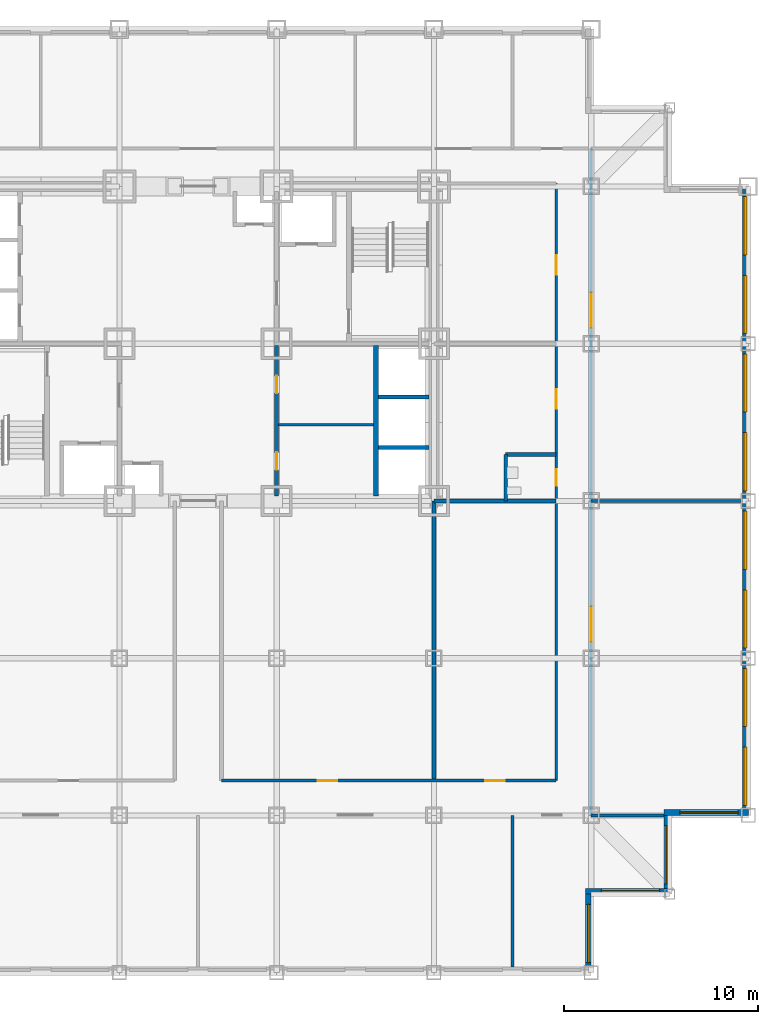
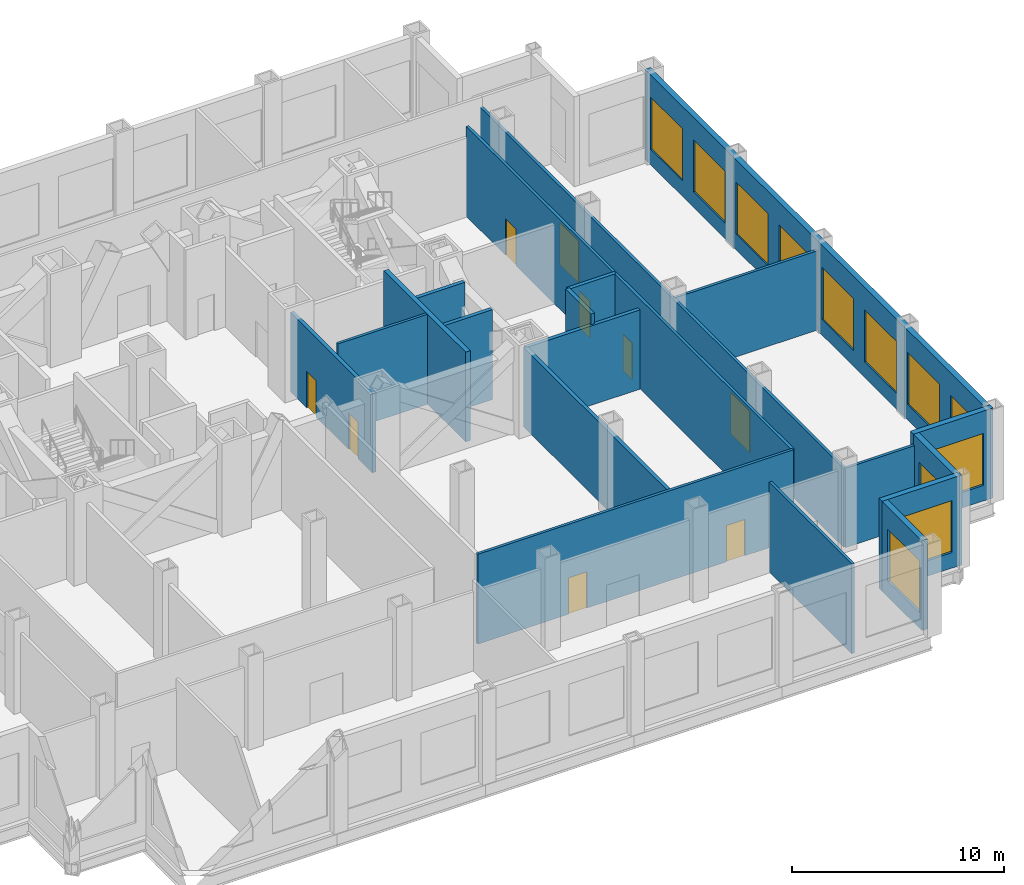
# One storey, part 5 of 10: 20 walls, 12 windows, 9 doors, 21 openings.
"""IFC4 building model written with IfcOpenShell, lengths in metres."""

import ifcopenshell
import ifcopenshell.guid

model = None  # the IFC model being written
_history = None  # IfcOwnerHistory: only IFC2X3 demands one
_inside = {}  # id of a spatial element -> (the spatial element, [elements in it])
_under = {}  # id of a project, library or spatial element -> (it, [spatial elements below it])
_declared = {}  # id of a project -> (the project, [libraries it declares])
_typed = {}  # id of a type object -> (the type object, [elements of that type])
_made_of = {}  # id of a material, layer set ... -> (it, [elements and type objects made of it])


def new_model(schema):
    """Start an empty IFC model of exactly this schema.

    Asked for "IFC4X3", IfcOpenShell would pick the latest addendum, in which some entities
    have other attributes; the version numbers below select the first issue.
    IFC2X3 requires an IfcOwnerHistory on every rooted entity: one is made here for all.
    """
    global model, _history
    if schema == "IFC4X3":
        model = ifcopenshell.file(schema_version=(4, 3, 0, 0))
    else:
        model = ifcopenshell.file(schema=schema)
    _inside.clear()
    _under.clear()
    _declared.clear()
    _typed.clear()
    _made_of.clear()
    _history = None
    if model.schema == "IFC2X3":
        org = make("IfcOrganization", Name="unknown")
        user = make(
            "IfcPersonAndOrganization",
            ThePerson=make("IfcPerson", FamilyName="unknown"),
            TheOrganization=org,
        )
        app = make(
            "IfcApplication",
            ApplicationDeveloper=org,
            Version="unknown",
            ApplicationFullName="unknown",
            ApplicationIdentifier="unknown",
        )
        _history = make(
            "IfcOwnerHistory",
            OwningUser=user,
            OwningApplication=app,
            ChangeAction="ADDED",
            CreationDate=0,
        )
    return model


def make(cls, **values):
    """One entity of the class cls with the attributes given. An attribute that is None is left unset."""
    return model.create_entity(
        cls, **{name: value for name, value in values.items() if value is not None}
    )


def rooted(cls, **values):
    """An entity with a GlobalId (a new one), such as an element, a storey or a relation."""
    return make(cls, GlobalId=ifcopenshell.guid.new(), OwnerHistory=_history, **values)


def si_unit(unit_type, name, prefix=None):
    """IfcSIUnit, for example si_unit("LENGTHUNIT", "METRE", prefix="MILLI")."""
    return make("IfcSIUnit", UnitType=unit_type, Prefix=prefix, Name=name)


def assignment(units):
    """IfcUnitAssignment: the units of a project."""
    return None if units is None else make("IfcUnitAssignment", Units=units)


def point(xyz):
    """IfcCartesianPoint."""
    return None if xyz is None else make("IfcCartesianPoint", Coordinates=xyz)


def direction(xyz):
    """IfcDirection."""
    return None if xyz is None else make("IfcDirection", DirectionRatios=xyz)


def frame(location, z_axis=None, x_axis=None):
    """IfcAxis2Placement3D, a coordinate frame: its origin and axes. An axis left out is left unset."""
    return make(
        "IfcAxis2Placement3D",
        Location=point(location),
        Axis=direction(z_axis),
        RefDirection=direction(x_axis),
    )


def frame_2d(location, x_axis=None):
    """IfcAxis2Placement2D, a coordinate frame in the plane: its origin and x axis."""
    return make(
        "IfcAxis2Placement2D", Location=point(location), RefDirection=direction(x_axis)
    )


def origin():
    """The frame at (0, 0, 0) with its axes left unset."""
    return frame((0.0, 0.0, 0.0))


def place(relative_to, where):
    """IfcLocalPlacement: puts the frame where relative to a parent placement (None: the world)."""
    return make(
        "IfcLocalPlacement", PlacementRelTo=relative_to, RelativePlacement=where
    )


def context(
    kind, dimensions, precision=None, world=None, true_north=None, identifier=None
):
    """IfcGeometricRepresentationContext, for example the 3D "Model" context."""
    return make(
        "IfcGeometricRepresentationContext",
        ContextIdentifier=identifier,
        ContextType=kind,
        CoordinateSpaceDimension=dimensions,
        Precision=precision,
        WorldCoordinateSystem=world,
        TrueNorth=true_north,
    )


def subcontext(parent, identifier, kind, view, scale=None):
    """IfcGeometricRepresentationSubContext, for example "Body" below "Model"."""
    return make(
        "IfcGeometricRepresentationSubContext",
        ContextIdentifier=identifier,
        ContextType=kind,
        ParentContext=parent,
        TargetScale=scale,
        TargetView=view,
    )


def project(units=None, contexts=None):
    """IfcProject with its units and contexts."""
    return rooted(
        "IfcProject",
        Name="project",
        RepresentationContexts=contexts,
        UnitsInContext=assignment(units),
    )


def spatial(cls, under=None, at=None, **own):
    """A site, building, storey or space (cls), placed at a placement, below another one or the project."""
    s = rooted(cls, ObjectPlacement=at, **own)
    if under is not None:
        _under.setdefault(under.id(), (under, []))[1].append(s)
    return s


def profile(cls, at=None, kind="AREA", **sizes):
    """A parametric profile (cls). Its sizes go by their IFC names, for example OverallWidth=200.0."""
    return make(cls, ProfileType=kind, Position=at, **sizes)


def rectangle(**sizes):
    """IfcRectangleProfileDef."""
    return profile("IfcRectangleProfileDef", **sizes)


def extrude(swept, where, along, depth):
    """IfcExtrudedAreaSolid: the profile swept, set in the frame where, extruded along a direction by depth."""
    return make(
        "IfcExtrudedAreaSolid",
        SweptArea=swept,
        Position=where,
        ExtrudedDirection=direction(along),
        Depth=depth,
    )


def shape(context_of_items, identifier, shape_type, items):
    """IfcShapeRepresentation: the items that make up one representation, for example the "Body"."""
    return make(
        "IfcShapeRepresentation",
        ContextOfItems=context_of_items,
        RepresentationIdentifier=identifier,
        RepresentationType=shape_type,
        Items=items,
    )


def material(Name=None, Category=None):
    """IfcMaterial."""
    return make("IfcMaterial", Name=Name, Category=Category)


def layer(
    of_material, thickness, ventilated=None, Name=None, Category=None, Priority=None
):
    """IfcMaterialLayer: one layer of a wall or slab, of a material (None: an air gap)."""
    return make(
        "IfcMaterialLayer",
        Material=of_material,
        LayerThickness=thickness,
        IsVentilated=ventilated,
        Name=Name,
        Category=Category,
        Priority=Priority,
    )


def layer_set(layers, Name=None):
    """IfcMaterialLayerSet."""
    return make("IfcMaterialLayerSet", MaterialLayers=layers, LayerSetName=Name)


def made_of(thing, what):
    """Note that an element or type object is made of a material, layer set ...; save() writes the relation."""
    if what is not None:
        _made_of.setdefault(what.id(), (what, []))[1].append(thing)
    return thing


def type_object(cls, material=None, **own):
    """A type object (cls), such as IfcWallType, which elements share."""
    return made_of(rooted(cls, **own), material)


def element(
    cls,
    number,
    at=None,
    inside=None,
    cuts=None,
    type_object=None,
    material=None,
    context=None,
    identifier="Body",
    shape_type=None,
    held_by="IfcProductDefinitionShape",
    body=None,
    shapes=None,
    **own,
):
    """One element of the class cls, such as IfcWall. Its Tag is "e" and its number.

    at: its placement. inside: the storey or other place that contains it. cuts: it is an
    opening in that element (IfcRelVoidsElement). A single representation is given by context,
    identifier, shape_type and body (its items); several are given by shapes. held_by: the class
    of the entity that holds the representations. save() writes the other relations.
    """
    e = rooted(cls, Tag="e%d" % number, ObjectPlacement=at, **own)
    if body is not None:
        shapes = [shape(context, identifier, shape_type, body)]
    if shapes is not None:
        e.Representation = make(held_by, Representations=shapes)
    if inside is not None:
        _inside.setdefault(inside.id(), (inside, []))[1].append(e)
    if cuts is not None:
        rooted(
            "IfcRelVoidsElement", RelatingBuildingElement=cuts, RelatedOpeningElement=e
        )
    if type_object is not None:
        _typed.setdefault(type_object.id(), (type_object, []))[1].append(e)
    return made_of(e, material)


def fill(opening, filler):
    """IfcRelFillsElement: the door or window that sits in an opening."""
    return rooted(
        "IfcRelFillsElement",
        RelatingOpeningElement=opening,
        RelatedBuildingElement=filler,
    )


def aggregate(whole, parts):
    """IfcRelAggregates: a whole, such as a stair, and the parts it consists of."""
    return rooted("IfcRelAggregates", RelatingObject=whole, RelatedObjects=parts)


def save(model, path):
    """Write the relations noted so far, then the file.

    IfcRelAggregates (storeys below a building ...), IfcRelContainedInSpatialStructure (elements
    in a storey), IfcRelDefinesByType, IfcRelAssociatesMaterial and IfcRelDeclares: one each for
    every whole, place, type object, material and project.
    """
    for whole, parts in _under.values():
        aggregate(whole, parts)
    for where, things in _inside.values():
        rooted(
            "IfcRelContainedInSpatialStructure",
            RelatedElements=things,
            RelatingStructure=where,
        )
    for kind, things in _typed.values():
        rooted("IfcRelDefinesByType", RelatedObjects=things, RelatingType=kind)
    for what, things in _made_of.values():
        rooted("IfcRelAssociatesMaterial", RelatedObjects=things, RelatingMaterial=what)
    for by, libraries in _declared.values():
        rooted("IfcRelDeclares", RelatingContext=by, RelatedDefinitions=libraries)
    model.write(path)


model = new_model("IFC4")

# Units and contexts
model_context = context("Model", 3, precision=1e-05, world=origin(), true_north=direction((0.0, 1.0)))
body_context = subcontext(model_context, "Body", "Model", "MODEL_VIEW")
ifc_project = project(units=[si_unit("LENGTHUNIT", "METRE"), si_unit("AREAUNIT", "SQUARE_METRE"), si_unit("VOLUMEUNIT", "CUBIC_METRE"), si_unit("PLANEANGLEUNIT", "RADIAN"), si_unit("MASSUNIT", "GRAM", prefix="KILO")], contexts=[model_context])

# Site, building, storey
site_placement = place(None, origin())
site = spatial("IfcSite", under=ifc_project, at=site_placement, CompositionType="ELEMENT")
building_placement = place(site_placement, origin())
building = spatial("IfcBuilding", under=site, at=building_placement, Name="Kopane Lantern Tower", CompositionType="ELEMENT")
storey_placement = place(building_placement, frame((0.0, 0.0, 27.60009765625)))
storey = spatial("IfcBuildingStorey", under=building, at=storey_placement, Name="L05", CompositionType="ELEMENT", Elevation=27.60009765625)

# Wall
ifc_material_1 = material(Name="Gypsum partition EI 60", Category="gypsum")
ifc_layer_1 = layer(ifc_material_1, 0.14990234375)
ifc_layer_set_1 = layer_set([ifc_layer_1], Name="CORE ROOM PARTITION 150 EI 60")
wall_type_1 = type_object("IfcWallType", Name="CORE ROOM PARTITION 150 EI 60", PredefinedType="PARTITIONING", material=ifc_layer_set_1)
wall_1_placement = place(storey_placement, frame((32.5, 28.22509765625, 0.0), z_axis=(0.0, 0.0, 1.0), x_axis=(1.0, 0.0, 0.0)))
element("IfcWall", 1, at=wall_1_placement, inside=storey, type_object=wall_type_1, Name="Core room partition L05 E1", PredefinedType="PARTITIONING", context=body_context, shape_type="SweptSolid", body=[
    extrude(rectangle(XDim=4.89990234375, YDim=0.14990234375, at=frame_2d((2.449951171875, 0.0))), origin(), (0.0, 0.0, 1.0), 5.18994140625),
])

# Wall, openings, doors
ifc_material_2 = material(Name="Gypsum partition EI 60", Category="gypsum")
ifc_layer_2 = layer(ifc_material_2, 0.199951171875)
ifc_layer_set_2 = layer_set([ifc_layer_2], Name="CORE ROOM WALL 200 EI 60")
wall_type_2 = type_object("IfcWallType", Name="CORE ROOM WALL 200 EI 60", PredefinedType="PARTITIONING", material=ifc_layer_set_2)
wall_2_placement = place(storey_placement, frame((32.39990234375, 24.550048828125, 0.0), z_axis=(0.0, 0.0, 1.0), x_axis=(0.0, 1.0, 0.0)))
wall_2 = element("IfcWall", 2, at=wall_2_placement, inside=storey, type_object=wall_type_2, Name="Core room wall L05 XE", PredefinedType="PARTITIONING", context=body_context, shape_type="SweptSolid", body=[
    extrude(rectangle(XDim=7.75, YDim=0.199951171875, at=frame_2d((3.875, 0.0))), origin(), (0.0, 0.0, 1.0), 4.57763671875),
])
opening_1_placement = place(wall_2_placement, frame((1.35009765625, 0.0, 0.0)))
opening_1 = element("IfcOpeningElement", 3, at=opening_1_placement, cuts=wall_2, Name="Opening 05.C20", PredefinedType="OPENING", context=body_context, shape_type="SweptSolid", body=[
    extrude(rectangle(XDim=0.89990234375, YDim=2.10009765625, at=frame_2d((0.449951171875, 1.050048828125))), frame((0.0, 0.10986328125, 0.0), z_axis=(0.0, -1.0, 0.0), x_axis=(1.0, 0.0, 0.0)), (0.0, 0.0, 1.0), 0.219970703125),
])
opening_2_placement = place(wall_2_placement, frame((5.300048828125, 0.0, 0.0)))
opening_2 = element("IfcOpeningElement", 4, at=opening_2_placement, cuts=wall_2, Name="Opening 05.C21", PredefinedType="OPENING", context=body_context, shape_type="SweptSolid", body=[
    extrude(rectangle(XDim=0.89990234375, YDim=2.10009765625, at=frame_2d((0.449951171875, 1.050048828125))), frame((0.0, 0.10986328125, 0.0), z_axis=(0.0, -1.0, 0.0), x_axis=(1.0, 0.0, 0.0)), (0.0, 0.0, 1.0), 0.219970703125),
])
ifc_material_3 = material(Name="Steel door set", Category="steel")
door_type_1 = type_object("IfcDoorType", Name="CORE ROOM DOOR 900x2100 FD60", OperationType="SINGLE_SWING_LEFT", PredefinedType="DOOR", material=ifc_material_3)
door_1_placement = place(opening_1_placement, origin())
door_1 = element("IfcDoor", 5, at=door_1_placement, inside=storey, type_object=door_type_1, Name="Door Electrical room L05", OperationType="SINGLE_SWING_LEFT", OverallHeight=2.10009765625, OverallWidth=0.89990234375, PredefinedType="DOOR", context=body_context, shape_type="SweptSolid", body=[
    extrude(rectangle(XDim=0.89990234375, YDim=2.10009765625, at=frame_2d((0.449951171875, 1.050048828125))), frame((0.0, 0.02490234375, 0.0), z_axis=(0.0, -1.0, 0.0), x_axis=(1.0, 0.0, 0.0)), (0.0, 0.0, 1.0), 0.050048828125),
])
fill(opening_1, door_1)
door_2_placement = place(opening_2_placement, origin())
door_2 = element("IfcDoor", 6, at=door_2_placement, inside=storey, type_object=door_type_1, Name="Door Plant store L05", OperationType="SINGLE_SWING_LEFT", OverallHeight=2.10009765625, OverallWidth=0.89990234375, PredefinedType="DOOR", context=body_context, shape_type="SweptSolid", body=[
    extrude(rectangle(XDim=0.89990234375, YDim=2.10009765625, at=frame_2d((0.449951171875, 1.050048828125))), frame((0.0, 0.02490234375, 0.0), z_axis=(0.0, -1.0, 0.0), x_axis=(1.0, 0.0, 0.0)), (0.0, 0.0, 1.0), 0.050048828125),
])
fill(opening_2, door_2)

# Wall
ifc_material_4 = material(Name="Gypsum shaft wall EI 120", Category="gypsum")
ifc_layer_3 = layer(ifc_material_4, 0.25)
ifc_layer_set_3 = layer_set([ifc_layer_3], Name="CORE SHAFT WALL 250 EI 120")
wall_type_3 = type_object("IfcWallType", Name="CORE SHAFT WALL 250 EI 120", PredefinedType="SOLIDWALL", material=ifc_layer_set_3)
wall_3_placement = place(storey_placement, frame((37.52490234375, 24.550048828125, 0.0), z_axis=(0.0, 0.0, 1.0), x_axis=(0.0, 1.0, 0.0)))
element("IfcWall", 7, at=wall_3_placement, inside=storey, type_object=wall_type_3, Name="Core shaft wall L05 XLR", PredefinedType="SOLIDWALL", context=body_context, shape_type="SweptSolid", body=[
    extrude(rectangle(XDim=7.75, YDim=0.25, at=frame_2d((3.875, 0.0))), origin(), (0.0, 0.0, 1.0), 5.18994140625),
])

# Wall, openings, doors
ifc_material_5 = material(Name="Gypsum board on steel studs", Category="steel")
ifc_layer_4 = layer(ifc_material_5, 0.14990234375)
ifc_layer_set_4 = layer_set([ifc_layer_4], Name="CORRIDOR WALL 150 EI 60")
wall_type_4 = type_object("IfcWallType", Name="CORRIDOR WALL 150 EI 60", PredefinedType="PARTITIONING", material=ifc_layer_set_4)
wall_4_placement = place(storey_placement, frame((48.60009765625, 8.10009765625, 0.0), z_axis=(0.0, 0.0, 1.0), x_axis=(0.0, 1.0, 0.0)))
wall_4 = element("IfcWall", 8, at=wall_4_placement, inside=storey, type_object=wall_type_4, Name="Corridor Wall 150 Ei 60 L05", PredefinedType="PARTITIONING", context=body_context, shape_type="SweptSolid", body=[
    extrude(rectangle(XDim=34.349853515625, YDim=0.14990234375, at=frame_2d((17.1748046875, 0.0))), origin(), (0.0, 0.0, 1.0), 4.57763671875),
])
opening_3_placement = place(wall_4_placement, frame((8.949951171875, 0.0, 0.0)))
opening_3 = element("IfcOpeningElement", 9, at=opening_3_placement, cuts=wall_4, Name="Opening L05-019", PredefinedType="OPENING", context=body_context, shape_type="SweptSolid", body=[
    extrude(rectangle(XDim=1.800048828125, YDim=2.39990234375, at=frame_2d((0.89990234375, 1.199951171875))), frame((0.0, 0.0849609375, 0.0), z_axis=(0.0, -1.0, 0.0), x_axis=(1.0, 0.0, 0.0)), (0.0, 0.0, 1.0), 0.169921875),
])
opening_4_placement = place(wall_4_placement, frame((25.125, 0.0, 0.0)))
opening_4 = element("IfcOpeningElement", 10, at=opening_4_placement, cuts=wall_4, Name="Opening L05-020", PredefinedType="OPENING", context=body_context, shape_type="SweptSolid", body=[
    extrude(rectangle(XDim=1.800048828125, YDim=2.39990234375, at=frame_2d((0.89990234375, 1.199951171875))), frame((0.0, 0.0849609375, 0.0), z_axis=(0.0, -1.0, 0.0), x_axis=(1.0, 0.0, 0.0)), (0.0, 0.0, 1.0), 0.169921875),
])
ifc_material_6 = material(Name="Steel door set", Category="steel")
door_type_2 = type_object("IfcDoorType", Name="DOOR D8 1800x2400 FD120", OperationType="SINGLE_SWING_LEFT", PredefinedType="DOOR", material=ifc_material_6)
door_3_placement = place(opening_3_placement, origin())
door_3 = element("IfcDoor", 11, at=door_3_placement, inside=storey, type_object=door_type_2, Name="Door L05-019", OperationType="DOUBLE_DOOR_SINGLE_SWING", OverallHeight=2.39990234375, OverallWidth=1.800048828125, PredefinedType="DOOR", context=body_context, shape_type="SweptSolid", body=[
    extrude(rectangle(XDim=1.800048828125, YDim=2.39990234375, at=frame_2d((0.89990234375, 1.199951171875))), frame((0.0, 0.02490234375, 0.0), z_axis=(0.0, -1.0, 0.0), x_axis=(1.0, 0.0, 0.0)), (0.0, 0.0, 1.0), 0.050048828125),
])
fill(opening_3, door_3)
door_4_placement = place(opening_4_placement, origin())
door_4 = element("IfcDoor", 12, at=door_4_placement, inside=storey, type_object=door_type_2, Name="Door L05-020", OperationType="DOUBLE_DOOR_SINGLE_SWING", OverallHeight=2.39990234375, OverallWidth=1.800048828125, PredefinedType="DOOR", context=body_context, shape_type="SweptSolid", body=[
    extrude(rectangle(XDim=1.800048828125, YDim=2.39990234375, at=frame_2d((0.89990234375, 1.199951171875))), frame((0.0, 0.02490234375, 0.0), z_axis=(0.0, -1.0, 0.0), x_axis=(1.0, 0.0, 0.0)), (0.0, 0.0, 1.0), 0.050048828125),
])
fill(opening_4, door_4)

wall_5_placement = place(storey_placement, frame((46.800048828125, 9.89990234375, 0.0), z_axis=(0.0, 0.0, 1.0), x_axis=(0.0, 1.0, 0.0)))
wall_5 = element("IfcWall", 13, at=wall_5_placement, inside=storey, type_object=wall_type_4, Name="Corridor Wall 150 Ei 60 L05", PredefinedType="PARTITIONING", context=body_context, shape_type="SweptSolid", body=[
    extrude(rectangle(XDim=30.75, YDim=0.14990234375, at=frame_2d((15.375, 0.0))), origin(), (0.0, 0.0, 1.0), 5.18994140625),
])
opening_5_placement = place(wall_5_placement, frame((15.175048828125, 0.0, 0.0)))
opening_5 = element("IfcOpeningElement", 14, at=opening_5_placement, cuts=wall_5, Name="Opening L05-005", PredefinedType="OPENING", context=body_context, shape_type="SweptSolid", body=[
    extrude(rectangle(XDim=0.85009765625, YDim=2.10009765625, at=frame_2d((0.425048828125, 1.050048828125))), frame((0.0, 0.0849609375, 0.0), z_axis=(0.0, -1.0, 0.0), x_axis=(1.0, 0.0, 0.0)), (0.0, 0.0, 1.0), 0.169921875),
])
opening_6_placement = place(wall_5_placement, frame((19.14990234375, 0.0, 0.0)))
opening_6 = element("IfcOpeningElement", 15, at=opening_6_placement, cuts=wall_5, Name="Opening L05-006", PredefinedType="OPENING", context=body_context, shape_type="SweptSolid", body=[
    extrude(rectangle(XDim=1.0, YDim=2.10009765625, at=frame_2d((0.5, 1.050048828125))), frame((0.0, 0.0849609375, 0.0), z_axis=(0.0, -1.0, 0.0), x_axis=(1.0, 0.0, 0.0)), (0.0, 0.0, 1.0), 0.169921875),
])
opening_7_placement = place(wall_5_placement, frame((26.050048828125, 0.0, 0.0)))
opening_7 = element("IfcOpeningElement", 16, at=opening_7_placement, cuts=wall_5, Name="Opening L05-007", PredefinedType="OPENING", context=body_context, shape_type="SweptSolid", body=[
    extrude(rectangle(XDim=1.0, YDim=2.10009765625, at=frame_2d((0.5, 1.050048828125))), frame((0.0, 0.0849609375, 0.0), z_axis=(0.0, -1.0, 0.0), x_axis=(1.0, 0.0, 0.0)), (0.0, 0.0, 1.0), 0.169921875),
])
ifc_material_7 = material(Name="Timber door set", Category="wood")
door_type_3 = type_object("IfcDoorType", Name="DOOR D4 850x2100", OperationType="SINGLE_SWING_LEFT", PredefinedType="DOOR", material=ifc_material_7)
door_5_placement = place(opening_5_placement, origin())
door_5 = element("IfcDoor", 17, at=door_5_placement, inside=storey, type_object=door_type_3, Name="Door L05-005", OperationType="SINGLE_SWING_LEFT", OverallHeight=2.10009765625, OverallWidth=0.85009765625, PredefinedType="DOOR", context=body_context, shape_type="SweptSolid", body=[
    extrude(rectangle(XDim=0.85009765625, YDim=2.10009765625, at=frame_2d((0.425048828125, 1.050048828125))), frame((0.0, 0.02490234375, 0.0), z_axis=(0.0, -1.0, 0.0), x_axis=(1.0, 0.0, 0.0)), (0.0, 0.0, 1.0), 0.050048828125),
])
fill(opening_5, door_5)
ifc_material_8 = material(Name="Steel door set", Category="steel")
door_type_4 = type_object("IfcDoorType", Name="DOOR D5 1000x2100 FD60", OperationType="SINGLE_SWING_LEFT", PredefinedType="DOOR", material=ifc_material_8)
door_6_placement = place(opening_6_placement, origin())
door_6 = element("IfcDoor", 18, at=door_6_placement, inside=storey, type_object=door_type_4, Name="Door L05-006", OperationType="SINGLE_SWING_RIGHT", OverallHeight=2.10009765625, OverallWidth=1.0, PredefinedType="DOOR", context=body_context, shape_type="SweptSolid", body=[
    extrude(rectangle(XDim=1.0, YDim=2.10009765625, at=frame_2d((0.5, 1.050048828125))), frame((0.0, 0.02490234375, 0.0), z_axis=(0.0, -1.0, 0.0), x_axis=(1.0, 0.0, 0.0)), (0.0, 0.0, 1.0), 0.050048828125),
])
fill(opening_6, door_6)
door_7_placement = place(opening_7_placement, origin())
door_7 = element("IfcDoor", 19, at=door_7_placement, inside=storey, type_object=door_type_4, Name="Door L05-007", OperationType="SINGLE_SWING_LEFT", OverallHeight=2.10009765625, OverallWidth=1.0, PredefinedType="DOOR", context=body_context, shape_type="SweptSolid", body=[
    extrude(rectangle(XDim=1.0, YDim=2.10009765625, at=frame_2d((0.5, 1.050048828125))), frame((0.0, 0.02490234375, 0.0), z_axis=(0.0, -1.0, 0.0), x_axis=(1.0, 0.0, 0.0)), (0.0, 0.0, 1.0), 0.050048828125),
])
fill(opening_7, door_7)

wall_6_placement = place(storey_placement, frame((29.56005859375, 9.89990234375, 0.0), z_axis=(0.0, 0.0, 1.0), x_axis=(1.0, 0.0, 0.0)))
wall_6 = element("IfcWall", 20, at=wall_6_placement, inside=storey, type_object=wall_type_4, Name="Corridor Wall 150 Ei 60 L05", PredefinedType="PARTITIONING", context=body_context, shape_type="SweptSolid", body=[
    extrude(rectangle(XDim=17.239990234375, YDim=0.14990234375, at=frame_2d((8.6201171875, 0.0))), origin(), (0.0, 0.0, 1.0), 5.18994140625),
])
opening_8_placement = place(wall_6_placement, frame((4.965087890625, 0.0, 0.0)))
opening_8 = element("IfcOpeningElement", 21, at=opening_8_placement, cuts=wall_6, Name="Opening L05-010", PredefinedType="OPENING", context=body_context, shape_type="SweptSolid", body=[
    extrude(rectangle(XDim=1.0, YDim=2.10009765625, at=frame_2d((0.5, 1.050048828125))), frame((0.0, 0.0849609375, 0.0), z_axis=(0.0, -1.0, 0.0), x_axis=(1.0, 0.0, 0.0)), (0.0, 0.0, 1.0), 0.169921875),
])
opening_9_placement = place(wall_6_placement, frame((13.590087890625, 0.0, 0.0)))
opening_9 = element("IfcOpeningElement", 22, at=opening_9_placement, cuts=wall_6, Name="Opening L05-011", PredefinedType="OPENING", context=body_context, shape_type="SweptSolid", body=[
    extrude(rectangle(XDim=1.0, YDim=2.10009765625, at=frame_2d((0.5, 1.050048828125))), frame((0.0, 0.0849609375, 0.0), z_axis=(0.0, -1.0, 0.0), x_axis=(1.0, 0.0, 0.0)), (0.0, 0.0, 1.0), 0.169921875),
])
door_8_placement = place(opening_8_placement, origin())
door_8 = element("IfcDoor", 23, at=door_8_placement, inside=storey, type_object=door_type_4, Name="Door L05-010", OperationType="SINGLE_SWING_LEFT", OverallHeight=2.10009765625, OverallWidth=1.0, PredefinedType="DOOR", context=body_context, shape_type="SweptSolid", body=[
    extrude(rectangle(XDim=1.0, YDim=2.10009765625, at=frame_2d((0.5, 1.050048828125))), frame((0.0, 0.02490234375, 0.0), z_axis=(0.0, -1.0, 0.0), x_axis=(1.0, 0.0, 0.0)), (0.0, 0.0, 1.0), 0.050048828125),
])
fill(opening_8, door_8)
door_9_placement = place(opening_9_placement, origin())
door_9 = element("IfcDoor", 24, at=door_9_placement, inside=storey, type_object=door_type_4, Name="Door L05-011", OperationType="SINGLE_SWING_RIGHT", OverallHeight=2.10009765625, OverallWidth=1.0, PredefinedType="DOOR", context=body_context, shape_type="SweptSolid", body=[
    extrude(rectangle(XDim=1.0, YDim=2.10009765625, at=frame_2d((0.5, 1.050048828125))), frame((0.0, 0.02490234375, 0.0), z_axis=(0.0, -1.0, 0.0), x_axis=(1.0, 0.0, 0.0)), (0.0, 0.0, 1.0), 0.050048828125),
])
fill(opening_9, door_9)

# Walls
ifc_material_9 = material(Name="Gypsum board on steel studs", Category="steel")
ifc_layer_5 = layer(ifc_material_9, 0.14990234375)
ifc_layer_set_5 = layer_set([ifc_layer_5], Name="DEMISING WALL 150 EI 60")
wall_type_5 = type_object("IfcWallType", Name="DEMISING WALL 150 EI 60", PredefinedType="PARTITIONING", material=ifc_layer_set_5)
wall_7_placement = place(storey_placement, frame((48.60009765625, 24.300048828125, 0.0), z_axis=(0.0, 0.0, 1.0), x_axis=(1.0, 0.0, 0.0)))
element("IfcWall", 25, at=wall_7_placement, inside=storey, type_object=wall_type_5, Name="Demising Wall 150 Ei 60 L05", PredefinedType="PARTITIONING", context=body_context, shape_type="SweptSolid", body=[
    extrude(rectangle(XDim=7.7998046875, YDim=0.14990234375, at=frame_2d((3.89990234375, 0.0))), origin(), (0.0, 0.0, 1.0), 4.57763671875),
])
wall_8_placement = place(storey_placement, frame((48.60009765625, 8.10009765625, 0.0), z_axis=(0.0, 0.0, 1.0), x_axis=(1.0, 0.0, 0.0)))
element("IfcWall", 26, at=wall_8_placement, inside=storey, type_object=wall_type_5, Name="Demising Wall 150 Ei 60 L05", PredefinedType="PARTITIONING", context=body_context, shape_type="SweptSolid", body=[
    extrude(rectangle(XDim=3.75, YDim=0.14990234375, at=frame_2d((1.875, 0.0))), origin(), (0.0, 0.0, 1.0), 4.57763671875),
])
wall_9_placement = place(storey_placement, frame((44.550048828125, 8.10009765625, 0.0), z_axis=(0.0, 0.0, 1.0), x_axis=(0.0, -1.0, 0.0)))
element("IfcWall", 27, at=wall_9_placement, inside=storey, type_object=wall_type_5, Name="Demising Wall 150 Ei 60 L05", PredefinedType="PARTITIONING", context=body_context, shape_type="SweptSolid", body=[
    extrude(rectangle(XDim=7.800048828125, YDim=0.14990234375, at=frame_2d((3.89990234375, 0.0))), origin(), (0.0, 0.0, 1.0), 5.18994140625),
])

# Wall, opening, window
ifc_material_10 = material(Name="Terracotta rainscreen on light steel framing", Category="masonry")
ifc_layer_6 = layer(ifc_material_10, 0.300048828125)
ifc_layer_set_6 = layer_set([ifc_layer_6], Name="EXTERNAL WALL EW1 300 TERRACOTTA")
wall_type_6 = type_object("IfcWallType", Name="EXTERNAL WALL EW1 300 TERRACOTTA", PredefinedType="SOLIDWALL", material=ifc_layer_set_6)
wall_10_placement = place(storey_placement, frame((48.449951171875, 0.300048828125, 0.0), z_axis=(0.0, 0.0, 1.0), x_axis=(0.0, 1.0, 0.0)))
wall_10 = element("IfcWall", 28, at=wall_10_placement, inside=storey, type_object=wall_type_6, Name="External wall E L05", PredefinedType="SOLIDWALL", context=body_context, shape_type="SweptSolid", body=[
    extrude(rectangle(XDim=3.75, YDim=0.300048828125, at=frame_2d((1.875, 0.0))), origin(), (0.0, 0.0, 1.0), 5.18994140625),
])
opening_10_placement = place(wall_10_placement, frame((0.22509765625, 0.0, 0.89990234375)))
opening_10 = element("IfcOpeningElement", 29, at=opening_10_placement, cuts=wall_10, Name="Opening WR300300", PredefinedType="OPENING", context=body_context, shape_type="SweptSolid", body=[
    extrude(rectangle(XDim=3.0, YDim=3.0, at=frame_2d((1.5, 1.5))), frame((0.0, 0.159912109375, 0.0), z_axis=(0.0, -1.0, 0.0), x_axis=(1.0, 0.0, 0.0)), (0.0, 0.0, 1.0), 0.320068359375),
])
ifc_material_11 = material(Name="Aluminium and clear glass", Category="aluminium")
window_type_1 = type_object("IfcWindowType", Name="RIBBON WINDOW WR300300 3000x3000", PartitioningType="SINGLE_PANEL", PredefinedType="WINDOW", material=ifc_material_11)
window_1_placement = place(opening_10_placement, origin())
window_1 = element("IfcWindow", 30, at=window_1_placement, inside=storey, type_object=window_type_1, Name="Window E L05", OverallHeight=3.0, OverallWidth=3.0, PartitioningType="SINGLE_PANEL", PredefinedType="WINDOW", context=body_context, shape_type="SweptSolid", body=[
    extrude(rectangle(XDim=3.0, YDim=3.0, at=frame_2d((1.5, 1.5))), frame((0.0, 0.030029296875, 0.0), z_axis=(0.0, -1.0, 0.0), x_axis=(1.0, 0.0, 0.0)), (0.0, 0.0, 1.0), 0.06005859375),
])
fill(opening_10, window_1)

wall_11_placement = place(storey_placement, frame((48.300048828125, 4.199951171875, 0.0), z_axis=(0.0, 0.0, 1.0), x_axis=(1.0, 0.0, 0.0)))
wall_11 = element("IfcWall", 31, at=wall_11_placement, inside=storey, type_object=wall_type_6, Name="External wall S L05", PredefinedType="SOLIDWALL", context=body_context, shape_type="SweptSolid", body=[
    extrude(rectangle(XDim=4.349853515625, YDim=0.300048828125, at=frame_2d((2.1748046875, 0.0))), origin(), (0.0, 0.0, 1.0), 5.18994140625),
])
opening_11_placement = place(wall_11_placement, frame((0.824951171875, 0.0, 0.89990234375)))
opening_11 = element("IfcOpeningElement", 32, at=opening_11_placement, cuts=wall_11, Name="Opening WR300300", PredefinedType="OPENING", context=body_context, shape_type="SweptSolid", body=[
    extrude(rectangle(XDim=3.0, YDim=3.0, at=frame_2d((1.5, 1.5))), frame((0.0, 0.159912109375, 0.0), z_axis=(0.0, -1.0, 0.0), x_axis=(1.0, 0.0, 0.0)), (0.0, 0.0, 1.0), 0.320068359375),
])
window_2_placement = place(opening_11_placement, origin())
window_2 = element("IfcWindow", 33, at=window_2_placement, inside=storey, type_object=window_type_1, Name="Window S L05", OverallHeight=3.0, OverallWidth=3.0, PartitioningType="SINGLE_PANEL", PredefinedType="WINDOW", context=body_context, shape_type="SweptSolid", body=[
    extrude(rectangle(XDim=3.0, YDim=3.0, at=frame_2d((1.5, 1.5))), frame((0.0, 0.030029296875, 0.0), z_axis=(0.0, -1.0, 0.0), x_axis=(1.0, 0.0, 0.0)), (0.0, 0.0, 1.0), 0.06005859375),
])
fill(opening_11, window_2)

wall_12_placement = place(storey_placement, frame((52.5, 4.35009765625, 0.0), z_axis=(0.0, 0.0, 1.0), x_axis=(0.0, 1.0, 0.0)))
wall_12 = element("IfcWall", 34, at=wall_12_placement, inside=storey, type_object=wall_type_6, Name="External wall E L05", PredefinedType="SOLIDWALL", context=body_context, shape_type="SweptSolid", body=[
    extrude(rectangle(XDim=3.75, YDim=0.300048828125, at=frame_2d((1.875, 0.0))), origin(), (0.0, 0.0, 1.0), 5.18994140625),
])
opening_12_placement = place(wall_12_placement, frame((0.22509765625, 0.0, 0.89990234375)))
opening_12 = element("IfcOpeningElement", 35, at=opening_12_placement, cuts=wall_12, Name="Opening WR300300", PredefinedType="OPENING", context=body_context, shape_type="SweptSolid", body=[
    extrude(rectangle(XDim=3.0, YDim=3.0, at=frame_2d((1.5, 1.5))), frame((0.0, 0.159912109375, 0.0), z_axis=(0.0, -1.0, 0.0), x_axis=(1.0, 0.0, 0.0)), (0.0, 0.0, 1.0), 0.320068359375),
])
window_3_placement = place(opening_12_placement, origin())
window_3 = element("IfcWindow", 36, at=window_3_placement, inside=storey, type_object=window_type_1, Name="Window E L05", OverallHeight=3.0, OverallWidth=3.0, PartitioningType="SINGLE_PANEL", PredefinedType="WINDOW", context=body_context, shape_type="SweptSolid", body=[
    extrude(rectangle(XDim=3.0, YDim=3.0, at=frame_2d((1.5, 1.5))), frame((0.0, 0.030029296875, 0.0), z_axis=(0.0, -1.0, 0.0), x_axis=(1.0, 0.0, 0.0)), (0.0, 0.0, 1.0), 0.06005859375),
])
fill(opening_12, window_3)

wall_13_placement = place(storey_placement, frame((52.35009765625, 8.25, 0.0), z_axis=(0.0, 0.0, 1.0), x_axis=(1.0, 0.0, 0.0)))
wall_13 = element("IfcWall", 37, at=wall_13_placement, inside=storey, type_object=wall_type_6, Name="External wall S L05", PredefinedType="SOLIDWALL", context=body_context, shape_type="SweptSolid", body=[
    extrude(rectangle(XDim=4.349853515625, YDim=0.300048828125, at=frame_2d((2.1748046875, 0.0))), origin(), (0.0, 0.0, 1.0), 5.18994140625),
])
opening_13_placement = place(wall_13_placement, frame((0.824951171875, 0.0, 0.89990234375)))
opening_13 = element("IfcOpeningElement", 38, at=opening_13_placement, cuts=wall_13, Name="Opening WR300300", PredefinedType="OPENING", context=body_context, shape_type="SweptSolid", body=[
    extrude(rectangle(XDim=3.0, YDim=3.0, at=frame_2d((1.5, 1.5))), frame((0.0, 0.159912109375, 0.0), z_axis=(0.0, -1.0, 0.0), x_axis=(1.0, 0.0, 0.0)), (0.0, 0.0, 1.0), 0.320068359375),
])
window_4_placement = place(opening_13_placement, origin())
window_4 = element("IfcWindow", 39, at=window_4_placement, inside=storey, type_object=window_type_1, Name="Window S L05", OverallHeight=3.0, OverallWidth=3.0, PartitioningType="SINGLE_PANEL", PredefinedType="WINDOW", context=body_context, shape_type="SweptSolid", body=[
    extrude(rectangle(XDim=3.0, YDim=3.0, at=frame_2d((1.5, 1.5))), frame((0.0, 0.030029296875, 0.0), z_axis=(0.0, -1.0, 0.0), x_axis=(1.0, 0.0, 0.0)), (0.0, 0.0, 1.0), 0.06005859375),
])
fill(opening_13, window_4)

# Wall, openings, windows
wall_14_placement = place(storey_placement, frame((56.550048828125, 8.39990234375, 0.0), z_axis=(0.0, 0.0, 1.0), x_axis=(0.0, 1.0, 0.0)))
wall_14 = element("IfcWall", 40, at=wall_14_placement, inside=storey, type_object=wall_type_6, Name="External wall E L05", PredefinedType="SOLIDWALL", context=body_context, shape_type="SweptSolid", body=[
    extrude(rectangle(XDim=32.10009765625, YDim=0.300048828125, at=frame_2d((16.050048828125, 0.0))), origin(), (0.0, 0.0, 1.0), 5.18994140625),
])
opening_14_placement = place(wall_14_placement, frame((0.22509765625, 0.0, 0.89990234375)))
opening_14 = element("IfcOpeningElement", 41, at=opening_14_placement, cuts=wall_14, Name="Opening LV300300", PredefinedType="OPENING", context=body_context, shape_type="SweptSolid", body=[
    extrude(rectangle(XDim=3.0, YDim=3.0, at=frame_2d((1.5, 1.5))), frame((0.0, 0.159912109375, 0.0), z_axis=(0.0, -1.0, 0.0), x_axis=(1.0, 0.0, 0.0)), (0.0, 0.0, 1.0), 0.320068359375),
])
opening_15_placement = place(wall_14_placement, frame((4.27490234375, 0.0, 0.89990234375)))
opening_15 = element("IfcOpeningElement", 42, at=opening_15_placement, cuts=wall_14, Name="Opening LV300300", PredefinedType="OPENING", context=body_context, shape_type="SweptSolid", body=[
    extrude(rectangle(XDim=3.0, YDim=3.0, at=frame_2d((1.5, 1.5))), frame((0.0, 0.159912109375, 0.0), z_axis=(0.0, -1.0, 0.0), x_axis=(1.0, 0.0, 0.0)), (0.0, 0.0, 1.0), 0.320068359375),
])
opening_16_placement = place(wall_14_placement, frame((8.324951171875, 0.0, 0.89990234375)))
opening_16 = element("IfcOpeningElement", 43, at=opening_16_placement, cuts=wall_14, Name="Opening LV300300", PredefinedType="OPENING", context=body_context, shape_type="SweptSolid", body=[
    extrude(rectangle(XDim=3.0, YDim=3.0, at=frame_2d((1.5, 1.5))), frame((0.0, 0.159912109375, 0.0), z_axis=(0.0, -1.0, 0.0), x_axis=(1.0, 0.0, 0.0)), (0.0, 0.0, 1.0), 0.320068359375),
])
opening_17_placement = place(wall_14_placement, frame((12.375, 0.0, 0.89990234375)))
opening_17 = element("IfcOpeningElement", 44, at=opening_17_placement, cuts=wall_14, Name="Opening LV300300", PredefinedType="OPENING", context=body_context, shape_type="SweptSolid", body=[
    extrude(rectangle(XDim=3.0, YDim=3.0, at=frame_2d((1.5, 1.5))), frame((0.0, 0.159912109375, 0.0), z_axis=(0.0, -1.0, 0.0), x_axis=(1.0, 0.0, 0.0)), (0.0, 0.0, 1.0), 0.320068359375),
])
opening_18_placement = place(wall_14_placement, frame((16.425048828125, 0.0, 0.89990234375)))
opening_18 = element("IfcOpeningElement", 45, at=opening_18_placement, cuts=wall_14, Name="Opening LV300300", PredefinedType="OPENING", context=body_context, shape_type="SweptSolid", body=[
    extrude(rectangle(XDim=3.0, YDim=3.0, at=frame_2d((1.5, 1.5))), frame((0.0, 0.159912109375, 0.0), z_axis=(0.0, -1.0, 0.0), x_axis=(1.0, 0.0, 0.0)), (0.0, 0.0, 1.0), 0.320068359375),
])
opening_19_placement = place(wall_14_placement, frame((20.47509765625, 0.0, 0.89990234375)))
opening_19 = element("IfcOpeningElement", 46, at=opening_19_placement, cuts=wall_14, Name="Opening LV300300", PredefinedType="OPENING", context=body_context, shape_type="SweptSolid", body=[
    extrude(rectangle(XDim=3.0, YDim=3.0, at=frame_2d((1.5, 1.5))), frame((0.0, 0.159912109375, 0.0), z_axis=(0.0, -1.0, 0.0), x_axis=(1.0, 0.0, 0.0)), (0.0, 0.0, 1.0), 0.320068359375),
])
opening_20_placement = place(wall_14_placement, frame((24.52490234375, 0.0, 0.89990234375)))
opening_20 = element("IfcOpeningElement", 47, at=opening_20_placement, cuts=wall_14, Name="Opening LV300300", PredefinedType="OPENING", context=body_context, shape_type="SweptSolid", body=[
    extrude(rectangle(XDim=3.0, YDim=3.0, at=frame_2d((1.5, 1.5))), frame((0.0, 0.159912109375, 0.0), z_axis=(0.0, -1.0, 0.0), x_axis=(1.0, 0.0, 0.0)), (0.0, 0.0, 1.0), 0.320068359375),
])
opening_21_placement = place(wall_14_placement, frame((28.574951171875, 0.0, 0.89990234375)))
opening_21 = element("IfcOpeningElement", 48, at=opening_21_placement, cuts=wall_14, Name="Opening LV300300", PredefinedType="OPENING", context=body_context, shape_type="SweptSolid", body=[
    extrude(rectangle(XDim=3.0, YDim=3.0, at=frame_2d((1.5, 1.5))), frame((0.0, 0.159912109375, 0.0), z_axis=(0.0, -1.0, 0.0), x_axis=(1.0, 0.0, 0.0)), (0.0, 0.0, 1.0), 0.320068359375),
])
ifc_material_12 = material(Name="Aluminium louvre blades", Category="aluminium")
window_type_2 = type_object("IfcWindowType", Name="PLANT LOUVRE LV300300 3000x3000x150", PartitioningType="SINGLE_PANEL", PredefinedType="USERDEFINED", material=ifc_material_12)
window_5_placement = place(opening_14_placement, origin())
window_5 = element("IfcWindow", 49, at=window_5_placement, inside=storey, type_object=window_type_2, Name="Louvre E L05", ObjectType="LOUVRE", OverallHeight=3.0, OverallWidth=3.0, PartitioningType="SINGLE_PANEL", PredefinedType="USERDEFINED", context=body_context, shape_type="SweptSolid", body=[
    extrude(rectangle(XDim=3.0, YDim=3.0, at=frame_2d((1.5, 1.5))), frame((0.0, 0.074951171875, 0.0), z_axis=(0.0, -1.0, 0.0), x_axis=(1.0, 0.0, 0.0)), (0.0, 0.0, 1.0), 0.14990234375),
])
fill(opening_14, window_5)
window_6_placement = place(opening_15_placement, origin())
window_6 = element("IfcWindow", 50, at=window_6_placement, inside=storey, type_object=window_type_2, Name="Louvre E L05", ObjectType="LOUVRE", OverallHeight=3.0, OverallWidth=3.0, PartitioningType="SINGLE_PANEL", PredefinedType="USERDEFINED", context=body_context, shape_type="SweptSolid", body=[
    extrude(rectangle(XDim=3.0, YDim=3.0, at=frame_2d((1.5, 1.5))), frame((0.0, 0.074951171875, 0.0), z_axis=(0.0, -1.0, 0.0), x_axis=(1.0, 0.0, 0.0)), (0.0, 0.0, 1.0), 0.14990234375),
])
fill(opening_15, window_6)
window_7_placement = place(opening_16_placement, origin())
window_7 = element("IfcWindow", 51, at=window_7_placement, inside=storey, type_object=window_type_2, Name="Louvre E L05", ObjectType="LOUVRE", OverallHeight=3.0, OverallWidth=3.0, PartitioningType="SINGLE_PANEL", PredefinedType="USERDEFINED", context=body_context, shape_type="SweptSolid", body=[
    extrude(rectangle(XDim=3.0, YDim=3.0, at=frame_2d((1.5, 1.5))), frame((0.0, 0.074951171875, 0.0), z_axis=(0.0, -1.0, 0.0), x_axis=(1.0, 0.0, 0.0)), (0.0, 0.0, 1.0), 0.14990234375),
])
fill(opening_16, window_7)
window_8_placement = place(opening_17_placement, origin())
window_8 = element("IfcWindow", 52, at=window_8_placement, inside=storey, type_object=window_type_2, Name="Louvre E L05", ObjectType="LOUVRE", OverallHeight=3.0, OverallWidth=3.0, PartitioningType="SINGLE_PANEL", PredefinedType="USERDEFINED", context=body_context, shape_type="SweptSolid", body=[
    extrude(rectangle(XDim=3.0, YDim=3.0, at=frame_2d((1.5, 1.5))), frame((0.0, 0.074951171875, 0.0), z_axis=(0.0, -1.0, 0.0), x_axis=(1.0, 0.0, 0.0)), (0.0, 0.0, 1.0), 0.14990234375),
])
fill(opening_17, window_8)
window_9_placement = place(opening_18_placement, origin())
window_9 = element("IfcWindow", 53, at=window_9_placement, inside=storey, type_object=window_type_2, Name="Louvre E L05", ObjectType="LOUVRE", OverallHeight=3.0, OverallWidth=3.0, PartitioningType="SINGLE_PANEL", PredefinedType="USERDEFINED", context=body_context, shape_type="SweptSolid", body=[
    extrude(rectangle(XDim=3.0, YDim=3.0, at=frame_2d((1.5, 1.5))), frame((0.0, 0.074951171875, 0.0), z_axis=(0.0, -1.0, 0.0), x_axis=(1.0, 0.0, 0.0)), (0.0, 0.0, 1.0), 0.14990234375),
])
fill(opening_18, window_9)
window_10_placement = place(opening_19_placement, origin())
window_10 = element("IfcWindow", 54, at=window_10_placement, inside=storey, type_object=window_type_2, Name="Louvre E L05", ObjectType="LOUVRE", OverallHeight=3.0, OverallWidth=3.0, PartitioningType="SINGLE_PANEL", PredefinedType="USERDEFINED", context=body_context, shape_type="SweptSolid", body=[
    extrude(rectangle(XDim=3.0, YDim=3.0, at=frame_2d((1.5, 1.5))), frame((0.0, 0.074951171875, 0.0), z_axis=(0.0, -1.0, 0.0), x_axis=(1.0, 0.0, 0.0)), (0.0, 0.0, 1.0), 0.14990234375),
])
fill(opening_19, window_10)
window_11_placement = place(opening_20_placement, origin())
window_11 = element("IfcWindow", 55, at=window_11_placement, inside=storey, type_object=window_type_2, Name="Louvre E L05", ObjectType="LOUVRE", OverallHeight=3.0, OverallWidth=3.0, PartitioningType="SINGLE_PANEL", PredefinedType="USERDEFINED", context=body_context, shape_type="SweptSolid", body=[
    extrude(rectangle(XDim=3.0, YDim=3.0, at=frame_2d((1.5, 1.5))), frame((0.0, 0.074951171875, 0.0), z_axis=(0.0, -1.0, 0.0), x_axis=(1.0, 0.0, 0.0)), (0.0, 0.0, 1.0), 0.14990234375),
])
fill(opening_20, window_11)
window_12_placement = place(opening_21_placement, origin())
window_12 = element("IfcWindow", 56, at=window_12_placement, inside=storey, type_object=window_type_2, Name="Louvre E L05", ObjectType="LOUVRE", OverallHeight=3.0, OverallWidth=3.0, PartitioningType="SINGLE_PANEL", PredefinedType="USERDEFINED", context=body_context, shape_type="SweptSolid", body=[
    extrude(rectangle(XDim=3.0, YDim=3.0, at=frame_2d((1.5, 1.5))), frame((0.0, 0.074951171875, 0.0), z_axis=(0.0, -1.0, 0.0), x_axis=(1.0, 0.0, 0.0)), (0.0, 0.0, 1.0), 0.14990234375),
])
fill(opening_21, window_12)

# Walls
ifc_material_13 = material(Name="Concrete masonry", Category="masonry")
ifc_layer_7 = layer(ifc_material_13, 0.199951171875)
ifc_layer_set_7 = layer_set([ifc_layer_7], Name="PLANT ROOM WALL 200 EI 120")
wall_type_7 = type_object("IfcWallType", Name="PLANT ROOM WALL 200 EI 120", PredefinedType="SOLIDWALL", material=ifc_layer_set_7)
wall_15_placement = place(storey_placement, frame((46.800048828125, 26.699951171875, 0.0), z_axis=(0.0, 0.0, 1.0), x_axis=(-1.0, 0.0, 0.0)))
element("IfcWall", 57, at=wall_15_placement, inside=storey, type_object=wall_type_7, Name="Plant Room Wall 200 Ei 120 L05", PredefinedType="SOLIDWALL", context=body_context, shape_type="SweptSolid", body=[
    extrude(rectangle(XDim=2.60009765625, YDim=0.199951171875, at=frame_2d((1.300048828125, 0.0))), origin(), (0.0, 0.0, 1.0), 5.18994140625),
])
wall_16_placement = place(storey_placement, frame((44.199951171875, 24.300048828125, 0.0), z_axis=(0.0, 0.0, 1.0), x_axis=(0.0, 1.0, 0.0)))
element("IfcWall", 58, at=wall_16_placement, inside=storey, type_object=wall_type_7, Name="Plant Room Wall 200 Ei 120 L05", PredefinedType="SOLIDWALL", context=body_context, shape_type="SweptSolid", body=[
    extrude(rectangle(XDim=2.39990234375, YDim=0.199951171875, at=frame_2d((1.199951171875, 0.0))), origin(), (0.0, 0.0, 1.0), 5.18994140625),
])
wall_17_placement = place(storey_placement, frame((40.5, 9.89990234375, 0.0), z_axis=(0.0, 0.0, 1.0), x_axis=(0.0, 1.0, 0.0)))
element("IfcWall", 59, at=wall_17_placement, inside=storey, type_object=wall_type_7, Name="Plant Room Wall 200 Ei 120 L05", PredefinedType="SOLIDWALL", context=body_context, shape_type="SweptSolid", body=[
    extrude(rectangle(XDim=14.400146484375, YDim=0.199951171875, at=frame_2d((7.2001953125, 0.0))), origin(), (0.0, 0.0, 1.0), 4.57763671875),
])
wall_18_placement = place(storey_placement, frame((40.5, 24.300048828125, 0.0), z_axis=(0.0, 0.0, 1.0), x_axis=(1.0, 0.0, 0.0)))
element("IfcWall", 60, at=wall_18_placement, inside=storey, type_object=wall_type_7, Name="Plant Room Wall 200 Ei 120 L05", PredefinedType="SOLIDWALL", context=body_context, shape_type="SweptSolid", body=[
    extrude(rectangle(XDim=6.300048828125, YDim=0.199951171875, at=frame_2d((3.14990234375, 0.0))), origin(), (0.0, 0.0, 1.0), 4.57763671875),
])
ifc_material_14 = material(Name="Gypsum shaft wall EI 120", Category="gypsum")
ifc_layer_8 = layer(ifc_material_14, 0.199951171875)
ifc_layer_set_8 = layer_set([ifc_layer_8], Name="SHAFT WALL 200 EI 120")
wall_type_8 = type_object("IfcWallType", Name="SHAFT WALL 200 EI 120", PredefinedType="SOLIDWALL", material=ifc_layer_set_8)
for number, where, z_axis, x_axis, name in (
    (61, (37.64990234375, 27.050048828125, 0.0), (0.0, 0.0, 1.0), (1.0, 0.0, 0.0), "Core shaft wall L05 YLR12"),
    (62, (37.64990234375, 29.64990234375, 0.0), (0.0, 0.0, 1.0), (1.0, 0.0, 0.0), "Core shaft wall L05 YLR23"),
):
    element("IfcWall", number, at=place(storey_placement, frame(where, z_axis=z_axis, x_axis=x_axis)), inside=storey, type_object=wall_type_8, Name=name, PredefinedType="SOLIDWALL", context=body_context, shape_type="SweptSolid", body=[
        extrude(rectangle(XDim=2.60009765625, YDim=0.199951171875, at=frame_2d((1.300048828125, 0.0))), origin(), (0.0, 0.0, 1.0), 5.18994140625),
    ])

save(model, "model.ifc")
